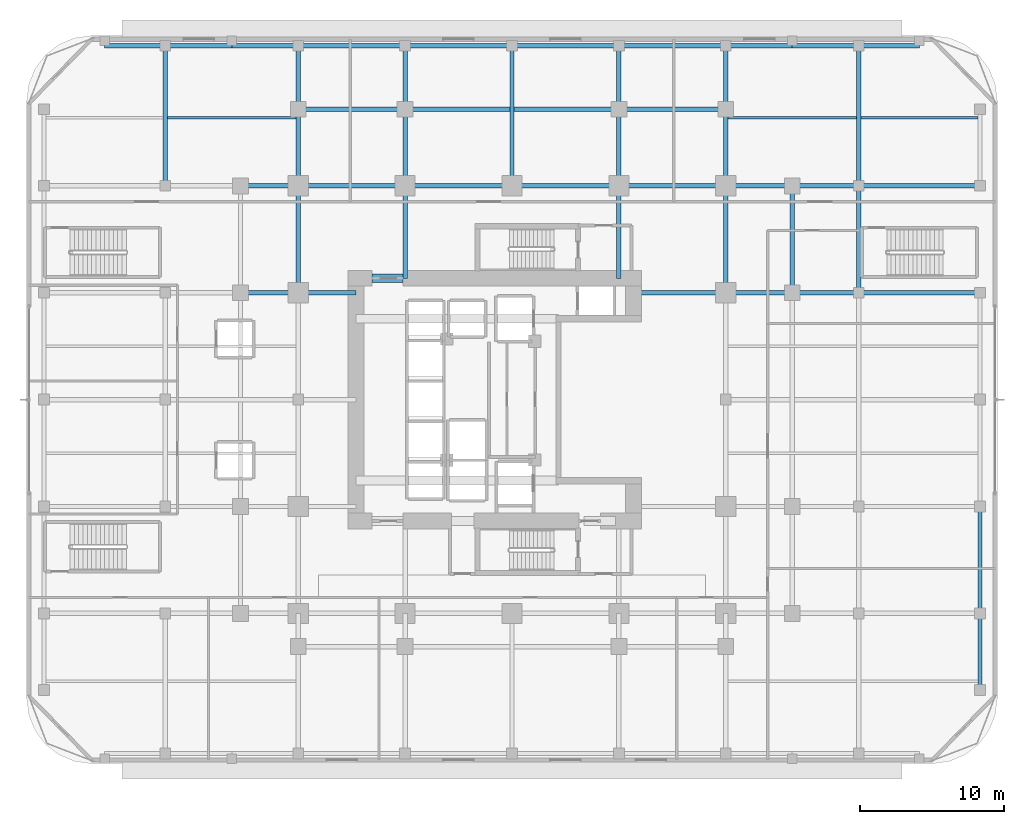
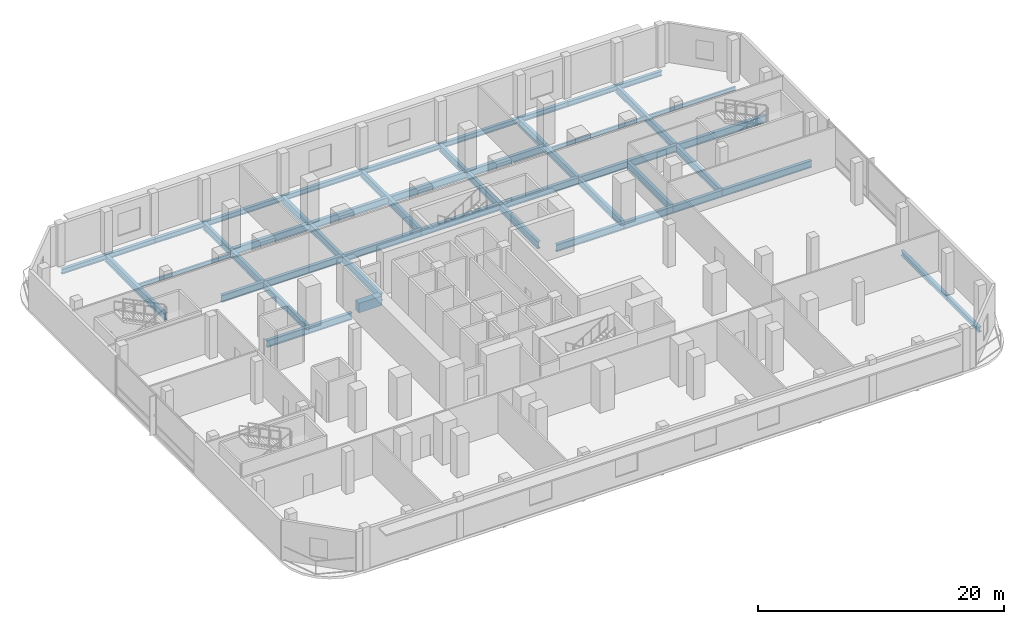
# One storey, part 5 of 19: 50 beams.
"""IFC4 building model written with IfcOpenShell, lengths in metres."""

from ifc_helpers import new_model, si_unit, direction, frame, origin, origin_2d, place, context, subcontext, project, spatial, rectangle, i_section, extrude, material, material_profile, profile_set, type_object, element, save


model = new_model("IFC4")

# Units and contexts
model_context = context("Model", 3, precision=1e-05, world=origin(), true_north=direction((0.0, 1.0)))
body_context = subcontext(model_context, "Body", "Model", "MODEL_VIEW")
ifc_project = project(units=[si_unit("LENGTHUNIT", "METRE"), si_unit("AREAUNIT", "SQUARE_METRE"), si_unit("VOLUMEUNIT", "CUBIC_METRE"), si_unit("PLANEANGLEUNIT", "RADIAN"), si_unit("MASSUNIT", "GRAM", prefix="KILO")], contexts=[model_context])

# Site, building, storey
site_placement = place(None, origin())
site = spatial("IfcSite", under=ifc_project, at=site_placement, CompositionType="ELEMENT")
building_placement = place(site_placement, origin())
building = spatial("IfcBuilding", under=site, at=building_placement, Name="Khorvyn Point Tower", CompositionType="ELEMENT")
storey_placement = place(building_placement, frame((0.0, 0.0, 17.39990234375)))
storey = spatial("IfcBuildingStorey", under=building, at=storey_placement, Name="L05", CompositionType="ELEMENT", Elevation=17.39990234375)

# Beams
ifc_material_1 = material(Name="Concrete C50/60", Category="concrete")
ifc_material_profile_1 = material_profile(ifc_material_1, rectangle(XDim=0.60009765625, YDim=0.949951171875, at=origin_2d()))
ifc_profile_set_1 = profile_set([ifc_material_profile_1], Name="Concrete C50/60 RC600x950")
beam_type_1 = type_object("IfcBeamType", Name="Concrete C50/60 Beam RC600x950", PredefinedType="BEAM", material=ifc_profile_set_1)
beam_1_placement = place(storey_placement, frame((-9.699951171875, 8.39990234375, -0.71484375), z_axis=(1.0, 0.0, 0.0), x_axis=(0.0, 1.0, 0.0)))
element("IfcBeam", 1, at=beam_1_placement, inside=storey, type_object=beam_type_1, Name="L05 Core Northwest Portal Coupling Beam", PredefinedType="BEAM", context=body_context, shape_type="SweptSolid", body=[
    extrude(rectangle(XDim=0.60009765625, YDim=0.949951171875, at=origin_2d()), origin(), (0.0, 0.0, 1.0), 2.14990234375),
])
ifc_material_2 = material(Name="Steel S355", Category="steel")
ifc_material_profile_2 = material_profile(ifc_material_2, i_section(OverallWidth=0.300048828125, OverallDepth=0.699951171875, WebThickness=0.012939453125, FlangeThickness=0.02392578125, at=origin_2d()))
ifc_profile_set_2 = profile_set([ifc_material_profile_2], Name="Steel S355 H700x300x13x24")
beam_type_2 = type_object("IfcBeamType", Name="Steel S355 Beam H700x300x13x24", PredefinedType="BEAM", material=ifc_profile_set_2)
for number, where, z_axis, x_axis, name in (
    (2, (-18.800048828125, 7.39990234375, -0.58984375), (1.0, 0.0, 0.0), (0.0, 1.0, 0.0), "Beam"),
    (3, (-14.800048828125, 7.39990234375, -0.58984375), (1.0, 0.0, 0.0), (0.0, 1.0, 0.0), "Beam"),
):
    element("IfcBeam", number, at=place(storey_placement, frame(where, z_axis=z_axis, x_axis=x_axis)), inside=storey, type_object=beam_type_2, Name=name, PredefinedType="BEAM", context=body_context, shape_type="SweptSolid", body=[
        extrude(i_section(OverallWidth=0.300048828125, OverallDepth=0.699951171875, WebThickness=0.012939453125, FlangeThickness=0.02392578125, at=origin_2d()), origin(), (0.0, 0.0, 1.0), 4.0),
    ])
beam_2_placement = place(storey_placement, frame((8.39990234375, 7.39990234375, -0.58984375), z_axis=(1.0, 0.0, 0.0), x_axis=(0.0, 1.0, 0.0)))
element("IfcBeam", 4, at=beam_2_placement, inside=storey, type_object=beam_type_2, Name="Beam", PredefinedType="BEAM", context=body_context, shape_type="SweptSolid", body=[
    extrude(i_section(OverallWidth=0.300048828125, OverallDepth=0.699951171875, WebThickness=0.012939453125, FlangeThickness=0.02392578125, at=origin_2d()), origin(), (0.0, 0.0, 1.0), 6.400146484375),
])
beam_3_placement = place(storey_placement, frame((14.800048828125, 7.39990234375, -0.58984375), z_axis=(1.0, 0.0, 0.0), x_axis=(0.0, 1.0, 0.0)))
element("IfcBeam", 5, at=beam_3_placement, inside=storey, type_object=beam_type_2, Name="Beam", PredefinedType="BEAM", context=body_context, shape_type="SweptSolid", body=[
    extrude(i_section(OverallWidth=0.300048828125, OverallDepth=0.699951171875, WebThickness=0.012939453125, FlangeThickness=0.02392578125, at=origin_2d()), origin(), (0.0, 0.0, 1.0), 4.599853515625),
])
beam_4_placement = place(storey_placement, frame((19.39990234375, 7.39990234375, -0.58984375), z_axis=(1.0, 0.0, 0.0), x_axis=(0.0, 1.0, 0.0)))
element("IfcBeam", 6, at=beam_4_placement, inside=storey, type_object=beam_type_2, Name="Beam", PredefinedType="BEAM", context=body_context, shape_type="SweptSolid", body=[
    extrude(i_section(OverallWidth=0.300048828125, OverallDepth=0.699951171875, WebThickness=0.012939453125, FlangeThickness=0.02392578125, at=origin_2d()), origin(), (0.0, 0.0, 1.0), 4.60009765625),
])
beam_5_placement = place(storey_placement, frame((24.0, 7.39990234375, -0.58984375), z_axis=(1.0, 0.0, 0.0), x_axis=(0.0, 1.0, 0.0)))
element("IfcBeam", 7, at=beam_5_placement, inside=storey, type_object=beam_type_2, Name="Beam", PredefinedType="BEAM", context=body_context, shape_type="SweptSolid", body=[
    extrude(i_section(OverallWidth=0.300048828125, OverallDepth=0.699951171875, WebThickness=0.012939453125, FlangeThickness=0.02392578125, at=origin_2d()), origin(), (0.0, 0.0, 1.0), 8.39990234375),
])
beam_6_placement = place(storey_placement, frame((-18.800048828125, 14.800048828125, -0.58984375), z_axis=(1.0, 0.0, 0.0), x_axis=(0.0, 1.0, 0.0)))
element("IfcBeam", 8, at=beam_6_placement, inside=storey, type_object=beam_type_2, Name="Beam", PredefinedType="BEAM", context=body_context, shape_type="SweptSolid", body=[
    extrude(i_section(OverallWidth=0.300048828125, OverallDepth=0.699951171875, WebThickness=0.012939453125, FlangeThickness=0.02392578125, at=origin_2d()), origin(), (0.0, 0.0, 1.0), 4.0),
])
beam_7_placement = place(storey_placement, frame((-14.800048828125, 14.800048828125, -0.58984375), z_axis=(1.0, 0.0, 0.0), x_axis=(0.0, 1.0, 0.0)))
element("IfcBeam", 9, at=beam_7_placement, inside=storey, type_object=beam_type_2, Name="Beam", PredefinedType="BEAM", context=body_context, shape_type="SweptSolid", body=[
    extrude(i_section(OverallWidth=0.300048828125, OverallDepth=0.699951171875, WebThickness=0.012939453125, FlangeThickness=0.02392578125, at=origin_2d()), origin(), (0.0, 0.0, 1.0), 7.400146484375),
])
for number, where, z_axis, x_axis, name in (
    (10, (-7.39990234375, 14.800048828125, -0.58984375), (1.0, 0.0, 0.0), (0.0, 1.0, 0.0), "Beam"),
    (11, (0.0, 14.800048828125, -0.58984375), (1.0, 0.0, 0.0), (0.0, 1.0, 0.0), "Beam"),
):
    element("IfcBeam", number, at=place(storey_placement, frame(where, z_axis=z_axis, x_axis=x_axis)), inside=storey, type_object=beam_type_2, Name=name, PredefinedType="BEAM", context=body_context, shape_type="SweptSolid", body=[
        extrude(i_section(OverallWidth=0.300048828125, OverallDepth=0.699951171875, WebThickness=0.012939453125, FlangeThickness=0.02392578125, at=origin_2d()), origin(), (0.0, 0.0, 1.0), 7.39990234375),
    ])
beam_8_placement = place(storey_placement, frame((7.39990234375, 14.800048828125, -0.58984375), z_axis=(1.0, 0.0, 0.0), x_axis=(0.0, 1.0, 0.0)))
element("IfcBeam", 12, at=beam_8_placement, inside=storey, type_object=beam_type_2, Name="Beam", PredefinedType="BEAM", context=body_context, shape_type="SweptSolid", body=[
    extrude(i_section(OverallWidth=0.300048828125, OverallDepth=0.699951171875, WebThickness=0.012939453125, FlangeThickness=0.02392578125, at=origin_2d()), origin(), (0.0, 0.0, 1.0), 7.400146484375),
])
beam_9_placement = place(storey_placement, frame((14.800048828125, 14.800048828125, -0.58984375), z_axis=(1.0, 0.0, 0.0), x_axis=(0.0, 1.0, 0.0)))
element("IfcBeam", 13, at=beam_9_placement, inside=storey, type_object=beam_type_2, Name="Beam", PredefinedType="BEAM", context=body_context, shape_type="SweptSolid", body=[
    extrude(i_section(OverallWidth=0.300048828125, OverallDepth=0.699951171875, WebThickness=0.012939453125, FlangeThickness=0.02392578125, at=origin_2d()), origin(), (0.0, 0.0, 1.0), 4.599853515625),
])
beam_10_placement = place(storey_placement, frame((19.39990234375, 14.800048828125, -0.58984375), z_axis=(1.0, 0.0, 0.0), x_axis=(0.0, 1.0, 0.0)))
element("IfcBeam", 14, at=beam_10_placement, inside=storey, type_object=beam_type_2, Name="Beam", PredefinedType="BEAM", context=body_context, shape_type="SweptSolid", body=[
    extrude(i_section(OverallWidth=0.300048828125, OverallDepth=0.699951171875, WebThickness=0.012939453125, FlangeThickness=0.02392578125, at=origin_2d()), origin(), (0.0, 0.0, 1.0), 4.60009765625),
])
beam_11_placement = place(storey_placement, frame((24.0, 14.800048828125, -0.58984375), z_axis=(1.0, 0.0, 0.0), x_axis=(0.0, 1.0, 0.0)))
element("IfcBeam", 15, at=beam_11_placement, inside=storey, type_object=beam_type_2, Name="Beam", PredefinedType="BEAM", context=body_context, shape_type="SweptSolid", body=[
    extrude(i_section(OverallWidth=0.300048828125, OverallDepth=0.699951171875, WebThickness=0.012939453125, FlangeThickness=0.02392578125, at=origin_2d()), origin(), (0.0, 0.0, 1.0), 8.39990234375),
])
beam_12_placement = place(storey_placement, frame((-14.800048828125, 20.10009765625, -0.58984375), z_axis=(1.0, 0.0, 0.0), x_axis=(0.0, 1.0, 0.0)))
element("IfcBeam", 16, at=beam_12_placement, inside=storey, type_object=beam_type_2, Name="Beam", PredefinedType="BEAM", context=body_context, shape_type="SweptSolid", body=[
    extrude(i_section(OverallWidth=0.300048828125, OverallDepth=0.699951171875, WebThickness=0.012939453125, FlangeThickness=0.02392578125, at=origin_2d()), origin(), (0.0, 0.0, 1.0), 7.400146484375),
])
beam_13_placement = place(storey_placement, frame((-7.39990234375, 20.10009765625, -0.58984375), z_axis=(1.0, 0.0, 0.0), x_axis=(0.0, 1.0, 0.0)))
element("IfcBeam", 17, at=beam_13_placement, inside=storey, type_object=beam_type_2, Name="Beam", PredefinedType="BEAM", context=body_context, shape_type="SweptSolid", body=[
    extrude(i_section(OverallWidth=0.300048828125, OverallDepth=0.699951171875, WebThickness=0.012939453125, FlangeThickness=0.02392578125, at=origin_2d()), origin(), (0.0, 0.0, 1.0), 14.7998046875),
])
beam_14_placement = place(storey_placement, frame((7.39990234375, 20.10009765625, -0.58984375), z_axis=(1.0, 0.0, 0.0), x_axis=(0.0, 1.0, 0.0)))
element("IfcBeam", 18, at=beam_14_placement, inside=storey, type_object=beam_type_2, Name="Beam", PredefinedType="BEAM", context=body_context, shape_type="SweptSolid", body=[
    extrude(i_section(OverallWidth=0.300048828125, OverallDepth=0.699951171875, WebThickness=0.012939453125, FlangeThickness=0.02392578125, at=origin_2d()), origin(), (0.0, 0.0, 1.0), 7.400146484375),
])
beam_15_placement = place(storey_placement, frame((-24.0, 14.800048828125, -0.58984375), z_axis=(0.0, 1.0, 0.0), x_axis=(-1.0, 0.0, 0.0)))
element("IfcBeam", 19, at=beam_15_placement, inside=storey, type_object=beam_type_2, Name="Beam", PredefinedType="BEAM", context=body_context, shape_type="SweptSolid", body=[
    extrude(i_section(OverallWidth=0.300048828125, OverallDepth=0.699951171875, WebThickness=0.012939453125, FlangeThickness=0.02392578125, at=origin_2d()), origin(), (0.0, 0.0, 1.0), 9.699951171875),
])
beam_16_placement = place(storey_placement, frame((-14.800048828125, 7.39990234375, -0.58984375), z_axis=(0.0, 1.0, 0.0), x_axis=(-1.0, 0.0, 0.0)))
element("IfcBeam", 20, at=beam_16_placement, inside=storey, type_object=beam_type_2, Name="Beam", PredefinedType="BEAM", context=body_context, shape_type="SweptSolid", body=[
    extrude(i_section(OverallWidth=0.300048828125, OverallDepth=0.699951171875, WebThickness=0.012939453125, FlangeThickness=0.02392578125, at=origin_2d()), origin(), (0.0, 0.0, 1.0), 7.400146484375),
])
beam_17_placement = place(storey_placement, frame((-14.800048828125, 14.800048828125, -0.58984375), z_axis=(0.0, 1.0, 0.0), x_axis=(-1.0, 0.0, 0.0)))
element("IfcBeam", 21, at=beam_17_placement, inside=storey, type_object=beam_type_2, Name="Beam", PredefinedType="BEAM", context=body_context, shape_type="SweptSolid", body=[
    extrude(i_section(OverallWidth=0.300048828125, OverallDepth=0.699951171875, WebThickness=0.012939453125, FlangeThickness=0.02392578125, at=origin_2d()), origin(), (0.0, 0.0, 1.0), 5.300048828125),
])
beam_18_placement = place(storey_placement, frame((-14.800048828125, 20.10009765625, -0.58984375), z_axis=(0.0, 1.0, 0.0), x_axis=(-1.0, 0.0, 0.0)))
element("IfcBeam", 22, at=beam_18_placement, inside=storey, type_object=beam_type_2, Name="Beam", PredefinedType="BEAM", context=body_context, shape_type="SweptSolid", body=[
    extrude(i_section(OverallWidth=0.300048828125, OverallDepth=0.699951171875, WebThickness=0.012939453125, FlangeThickness=0.02392578125, at=origin_2d()), origin(), (0.0, 0.0, 1.0), 4.39990234375),
])
beam_19_placement = place(storey_placement, frame((-7.39990234375, 8.39990234375, -0.58984375), z_axis=(0.0, 1.0, 0.0), x_axis=(-1.0, 0.0, 0.0)))
element("IfcBeam", 23, at=beam_19_placement, inside=storey, type_object=beam_type_2, Name="Beam", PredefinedType="BEAM", context=body_context, shape_type="SweptSolid", body=[
    extrude(i_section(OverallWidth=0.300048828125, OverallDepth=0.699951171875, WebThickness=0.012939453125, FlangeThickness=0.02392578125, at=origin_2d()), origin(), (0.0, 0.0, 1.0), 6.400146484375),
])
beam_20_placement = place(storey_placement, frame((-7.39990234375, 14.800048828125, -0.58984375), z_axis=(0.0, 1.0, 0.0), x_axis=(-1.0, 0.0, 0.0)))
element("IfcBeam", 24, at=beam_20_placement, inside=storey, type_object=beam_type_2, Name="Beam", PredefinedType="BEAM", context=body_context, shape_type="SweptSolid", body=[
    extrude(i_section(OverallWidth=0.300048828125, OverallDepth=0.699951171875, WebThickness=0.012939453125, FlangeThickness=0.02392578125, at=origin_2d()), origin(), (0.0, 0.0, 1.0), 5.300048828125),
])
beam_21_placement = place(storey_placement, frame((-7.39990234375, 20.10009765625, -0.58984375), z_axis=(0.0, 1.0, 0.0), x_axis=(-1.0, 0.0, 0.0)))
element("IfcBeam", 25, at=beam_21_placement, inside=storey, type_object=beam_type_2, Name="Beam", PredefinedType="BEAM", context=body_context, shape_type="SweptSolid", body=[
    extrude(i_section(OverallWidth=0.300048828125, OverallDepth=0.699951171875, WebThickness=0.012939453125, FlangeThickness=0.02392578125, at=origin_2d()), origin(), (0.0, 0.0, 1.0), 4.39990234375),
])
beam_22_placement = place(storey_placement, frame((0.0, 14.800048828125, -0.58984375), z_axis=(0.0, 1.0, 0.0), x_axis=(-1.0, 0.0, 0.0)))
element("IfcBeam", 26, at=beam_22_placement, inside=storey, type_object=beam_type_2, Name="Beam", PredefinedType="BEAM", context=body_context, shape_type="SweptSolid", body=[
    extrude(i_section(OverallWidth=0.300048828125, OverallDepth=0.699951171875, WebThickness=0.012939453125, FlangeThickness=0.02392578125, at=origin_2d()), origin(), (0.0, 0.0, 1.0), 9.699951171875),
])
beam_23_placement = place(storey_placement, frame((7.39990234375, 8.39990234375, -0.58984375), z_axis=(0.0, 1.0, 0.0), x_axis=(-1.0, 0.0, 0.0)))
element("IfcBeam", 27, at=beam_23_placement, inside=storey, type_object=beam_type_2, Name="Beam", PredefinedType="BEAM", context=body_context, shape_type="SweptSolid", body=[
    extrude(i_section(OverallWidth=0.300048828125, OverallDepth=0.699951171875, WebThickness=0.012939453125, FlangeThickness=0.02392578125, at=origin_2d()), origin(), (0.0, 0.0, 1.0), 6.400146484375),
])
beam_24_placement = place(storey_placement, frame((7.39990234375, 14.800048828125, -0.58984375), z_axis=(0.0, 1.0, 0.0), x_axis=(-1.0, 0.0, 0.0)))
element("IfcBeam", 28, at=beam_24_placement, inside=storey, type_object=beam_type_2, Name="Beam", PredefinedType="BEAM", context=body_context, shape_type="SweptSolid", body=[
    extrude(i_section(OverallWidth=0.300048828125, OverallDepth=0.699951171875, WebThickness=0.012939453125, FlangeThickness=0.02392578125, at=origin_2d()), origin(), (0.0, 0.0, 1.0), 5.300048828125),
])
beam_25_placement = place(storey_placement, frame((7.39990234375, 20.10009765625, -0.58984375), z_axis=(0.0, 1.0, 0.0), x_axis=(-1.0, 0.0, 0.0)))
element("IfcBeam", 29, at=beam_25_placement, inside=storey, type_object=beam_type_2, Name="Beam", PredefinedType="BEAM", context=body_context, shape_type="SweptSolid", body=[
    extrude(i_section(OverallWidth=0.300048828125, OverallDepth=0.699951171875, WebThickness=0.012939453125, FlangeThickness=0.02392578125, at=origin_2d()), origin(), (0.0, 0.0, 1.0), 4.39990234375),
])
beam_26_placement = place(storey_placement, frame((14.800048828125, 7.39990234375, -0.58984375), z_axis=(0.0, 1.0, 0.0), x_axis=(-1.0, 0.0, 0.0)))
element("IfcBeam", 30, at=beam_26_placement, inside=storey, type_object=beam_type_2, Name="Beam", PredefinedType="BEAM", context=body_context, shape_type="SweptSolid", body=[
    extrude(i_section(OverallWidth=0.300048828125, OverallDepth=0.699951171875, WebThickness=0.012939453125, FlangeThickness=0.02392578125, at=origin_2d()), origin(), (0.0, 0.0, 1.0), 7.400146484375),
])
beam_27_placement = place(storey_placement, frame((14.800048828125, 14.800048828125, -0.58984375), z_axis=(0.0, 1.0, 0.0), x_axis=(-1.0, 0.0, 0.0)))
element("IfcBeam", 31, at=beam_27_placement, inside=storey, type_object=beam_type_2, Name="Beam", PredefinedType="BEAM", context=body_context, shape_type="SweptSolid", body=[
    extrude(i_section(OverallWidth=0.300048828125, OverallDepth=0.699951171875, WebThickness=0.012939453125, FlangeThickness=0.02392578125, at=origin_2d()), origin(), (0.0, 0.0, 1.0), 5.300048828125),
])
beam_28_placement = place(storey_placement, frame((14.800048828125, 20.10009765625, -0.58984375), z_axis=(0.0, 1.0, 0.0), x_axis=(-1.0, 0.0, 0.0)))
element("IfcBeam", 32, at=beam_28_placement, inside=storey, type_object=beam_type_2, Name="Beam", PredefinedType="BEAM", context=body_context, shape_type="SweptSolid", body=[
    extrude(i_section(OverallWidth=0.300048828125, OverallDepth=0.699951171875, WebThickness=0.012939453125, FlangeThickness=0.02392578125, at=origin_2d()), origin(), (0.0, 0.0, 1.0), 4.39990234375),
])
beam_29_placement = place(storey_placement, frame((24.0, 7.39990234375, -0.58984375), z_axis=(0.0, 1.0, 0.0), x_axis=(-1.0, 0.0, 0.0)))
element("IfcBeam", 33, at=beam_29_placement, inside=storey, type_object=beam_type_2, Name="Beam", PredefinedType="BEAM", context=body_context, shape_type="SweptSolid", body=[
    extrude(i_section(OverallWidth=0.300048828125, OverallDepth=0.699951171875, WebThickness=0.012939453125, FlangeThickness=0.02392578125, at=origin_2d()), origin(), (0.0, 0.0, 1.0), 7.400146484375),
])
beam_30_placement = place(storey_placement, frame((24.0, 14.800048828125, -0.58984375), z_axis=(0.0, 1.0, 0.0), x_axis=(-1.0, 0.0, 0.0)))
element("IfcBeam", 34, at=beam_30_placement, inside=storey, type_object=beam_type_2, Name="Beam", PredefinedType="BEAM", context=body_context, shape_type="SweptSolid", body=[
    extrude(i_section(OverallWidth=0.300048828125, OverallDepth=0.699951171875, WebThickness=0.012939453125, FlangeThickness=0.02392578125, at=origin_2d()), origin(), (0.0, 0.0, 1.0), 9.699951171875),
])
beam_31_placement = place(storey_placement, frame((19.39990234375, 7.39990234375, -0.58984375), z_axis=(0.0, 1.0, 0.0), x_axis=(-1.0, 0.0, 0.0)))
element("IfcBeam", 35, at=beam_31_placement, inside=storey, type_object=beam_type_2, Name="Beam", PredefinedType="BEAM", context=body_context, shape_type="SweptSolid", body=[
    extrude(i_section(OverallWidth=0.300048828125, OverallDepth=0.699951171875, WebThickness=0.012939453125, FlangeThickness=0.02392578125, at=origin_2d()), origin(), (0.0, 0.0, 1.0), 7.400146484375),
])
ifc_material_profile_3 = material_profile(ifc_material_2, i_section(OverallWidth=0.175048828125, OverallDepth=0.35009765625, WebThickness=0.007080078125, FlangeThickness=0.010986328125, at=origin_2d()))
ifc_profile_set_3 = profile_set([ifc_material_profile_3], Name="Steel S355 H350x175x7x11")
beam_type_3 = type_object("IfcBeamType", Name="Steel S355 Joist H350x175x7x11", PredefinedType="JOIST", material=ifc_profile_set_3)
for number, where, z_axis, x_axis, name in (
    (36, (-23.85009765625, 19.5, -0.414794921875), (1.0, 0.0, 0.0), (0.0, 1.0, 0.0), "Beam"),
    (37, (14.949951171875, 19.5, -0.414794921875), (1.0, 0.0, 0.0), (0.0, 1.0, 0.0), "Beam"),
):
    element("IfcBeam", number, at=place(storey_placement, frame(where, z_axis=z_axis, x_axis=x_axis)), inside=storey, type_object=beam_type_3, Name=name, PredefinedType="JOIST", context=body_context, shape_type="SweptSolid", body=[
        extrude(i_section(OverallWidth=0.175048828125, OverallDepth=0.35009765625, WebThickness=0.007080078125, FlangeThickness=0.010986328125, at=origin_2d()), origin(), (0.0, 0.0, 1.0), 8.900146484375),
    ])
beam_32_placement = place(storey_placement, frame((24.14990234375, 19.5, -0.414794921875), z_axis=(1.0, 0.0, 0.0), x_axis=(0.0, 1.0, 0.0)))
element("IfcBeam", 38, at=beam_32_placement, inside=storey, type_object=beam_type_3, Name="Beam", PredefinedType="JOIST", context=body_context, shape_type="SweptSolid", body=[
    extrude(i_section(OverallWidth=0.175048828125, OverallDepth=0.35009765625, WebThickness=0.007080078125, FlangeThickness=0.010986328125, at=origin_2d()), origin(), (0.0, 0.0, 1.0), 8.10009765625),
])
ifc_material_profile_4 = material_profile(ifc_material_2, i_section(OverallWidth=0.300048828125, OverallDepth=0.488037109375, WebThickness=0.010986328125, FlangeThickness=0.01806640625, at=origin_2d()))
ifc_profile_set_4 = profile_set([ifc_material_profile_4], Name="Steel S355 H488x300x11x18")
beam_type_4 = type_object("IfcBeamType", Name="Steel S355 Spandrel H488x300x11x18", PredefinedType="SPANDREL", material=ifc_profile_set_4)
beam_33_placement = place(storey_placement, frame((-28.199951171875, 24.5, -0.48388671875), z_axis=(1.0, 0.0, 0.0), x_axis=(0.0, 1.0, 0.0)))
element("IfcBeam", 39, at=beam_33_placement, inside=storey, type_object=beam_type_4, Name="Beam", PredefinedType="SPANDREL", context=body_context, shape_type="SweptSolid", body=[
    extrude(i_section(OverallWidth=0.300048828125, OverallDepth=0.488037109375, WebThickness=0.010986328125, FlangeThickness=0.01806640625, at=origin_2d()), origin(), (0.0, 0.0, 1.0), 4.199951171875),
])
beam_34_placement = place(storey_placement, frame((-24.0, 24.5, -0.48388671875), z_axis=(1.0, 0.0, 0.0), x_axis=(0.0, 1.0, 0.0)))
element("IfcBeam", 40, at=beam_34_placement, inside=storey, type_object=beam_type_4, Name="Beam", PredefinedType="SPANDREL", context=body_context, shape_type="SweptSolid", body=[
    extrude(i_section(OverallWidth=0.300048828125, OverallDepth=0.488037109375, WebThickness=0.010986328125, FlangeThickness=0.01806640625, at=origin_2d()), origin(), (0.0, 0.0, 1.0), 4.60009765625),
])
beam_35_placement = place(storey_placement, frame((-19.39990234375, 24.5, -0.48388671875), z_axis=(1.0, 0.0, 0.0), x_axis=(0.0, 1.0, 0.0)))
element("IfcBeam", 41, at=beam_35_placement, inside=storey, type_object=beam_type_4, Name="Beam", PredefinedType="SPANDREL", context=body_context, shape_type="SweptSolid", body=[
    extrude(i_section(OverallWidth=0.300048828125, OverallDepth=0.488037109375, WebThickness=0.010986328125, FlangeThickness=0.01806640625, at=origin_2d()), origin(), (0.0, 0.0, 1.0), 4.599853515625),
])
beam_36_placement = place(storey_placement, frame((-14.800048828125, 24.5, -0.48388671875), z_axis=(1.0, 0.0, 0.0), x_axis=(0.0, 1.0, 0.0)))
element("IfcBeam", 42, at=beam_36_placement, inside=storey, type_object=beam_type_4, Name="Beam", PredefinedType="SPANDREL", context=body_context, shape_type="SweptSolid", body=[
    extrude(i_section(OverallWidth=0.300048828125, OverallDepth=0.488037109375, WebThickness=0.010986328125, FlangeThickness=0.01806640625, at=origin_2d()), origin(), (0.0, 0.0, 1.0), 7.400146484375),
])
for number, where, z_axis, x_axis, name in (
    (43, (-7.39990234375, 24.5, -0.48388671875), (1.0, 0.0, 0.0), (0.0, 1.0, 0.0), "Beam"),
    (44, (0.0, 24.5, -0.48388671875), (1.0, 0.0, 0.0), (0.0, 1.0, 0.0), "Beam"),
):
    element("IfcBeam", number, at=place(storey_placement, frame(where, z_axis=z_axis, x_axis=x_axis)), inside=storey, type_object=beam_type_4, Name=name, PredefinedType="SPANDREL", context=body_context, shape_type="SweptSolid", body=[
        extrude(i_section(OverallWidth=0.300048828125, OverallDepth=0.488037109375, WebThickness=0.010986328125, FlangeThickness=0.01806640625, at=origin_2d()), origin(), (0.0, 0.0, 1.0), 7.39990234375),
    ])
beam_37_placement = place(storey_placement, frame((7.39990234375, 24.5, -0.48388671875), z_axis=(1.0, 0.0, 0.0), x_axis=(0.0, 1.0, 0.0)))
element("IfcBeam", 45, at=beam_37_placement, inside=storey, type_object=beam_type_4, Name="Beam", PredefinedType="SPANDREL", context=body_context, shape_type="SweptSolid", body=[
    extrude(i_section(OverallWidth=0.300048828125, OverallDepth=0.488037109375, WebThickness=0.010986328125, FlangeThickness=0.01806640625, at=origin_2d()), origin(), (0.0, 0.0, 1.0), 7.400146484375),
])
beam_38_placement = place(storey_placement, frame((14.800048828125, 24.5, -0.48388671875), z_axis=(1.0, 0.0, 0.0), x_axis=(0.0, 1.0, 0.0)))
element("IfcBeam", 46, at=beam_38_placement, inside=storey, type_object=beam_type_4, Name="Beam", PredefinedType="SPANDREL", context=body_context, shape_type="SweptSolid", body=[
    extrude(i_section(OverallWidth=0.300048828125, OverallDepth=0.488037109375, WebThickness=0.010986328125, FlangeThickness=0.01806640625, at=origin_2d()), origin(), (0.0, 0.0, 1.0), 4.599853515625),
])
beam_39_placement = place(storey_placement, frame((19.39990234375, 24.5, -0.48388671875), z_axis=(1.0, 0.0, 0.0), x_axis=(0.0, 1.0, 0.0)))
element("IfcBeam", 47, at=beam_39_placement, inside=storey, type_object=beam_type_4, Name="Beam", PredefinedType="SPANDREL", context=body_context, shape_type="SweptSolid", body=[
    extrude(i_section(OverallWidth=0.300048828125, OverallDepth=0.488037109375, WebThickness=0.010986328125, FlangeThickness=0.01806640625, at=origin_2d()), origin(), (0.0, 0.0, 1.0), 4.60009765625),
])
beam_40_placement = place(storey_placement, frame((24.0, 24.5, -0.48388671875), z_axis=(1.0, 0.0, 0.0), x_axis=(0.0, 1.0, 0.0)))
element("IfcBeam", 48, at=beam_40_placement, inside=storey, type_object=beam_type_4, Name="Beam", PredefinedType="SPANDREL", context=body_context, shape_type="SweptSolid", body=[
    extrude(i_section(OverallWidth=0.300048828125, OverallDepth=0.488037109375, WebThickness=0.010986328125, FlangeThickness=0.01806640625, at=origin_2d()), origin(), (0.0, 0.0, 1.0), 4.199951171875),
])
beam_41_placement = place(storey_placement, frame((32.39990234375, -20.10009765625, -0.48388671875), z_axis=(0.0, 1.0, 0.0), x_axis=(-1.0, 0.0, 0.0)))
element("IfcBeam", 49, at=beam_41_placement, inside=storey, type_object=beam_type_4, Name="Beam", PredefinedType="SPANDREL", context=body_context, shape_type="SweptSolid", body=[
    extrude(i_section(OverallWidth=0.300048828125, OverallDepth=0.488037109375, WebThickness=0.010986328125, FlangeThickness=0.01806640625, at=origin_2d()), origin(), (0.0, 0.0, 1.0), 5.300048828125),
])
beam_42_placement = place(storey_placement, frame((32.39990234375, -14.800048828125, -0.48388671875), z_axis=(0.0, 1.0, 0.0), x_axis=(-1.0, 0.0, 0.0)))
element("IfcBeam", 50, at=beam_42_placement, inside=storey, type_object=beam_type_4, Name="Beam", PredefinedType="SPANDREL", context=body_context, shape_type="SweptSolid", body=[
    extrude(i_section(OverallWidth=0.300048828125, OverallDepth=0.488037109375, WebThickness=0.010986328125, FlangeThickness=0.01806640625, at=origin_2d()), origin(), (0.0, 0.0, 1.0), 7.400146484375),
])

save(model, "model.ifc")
